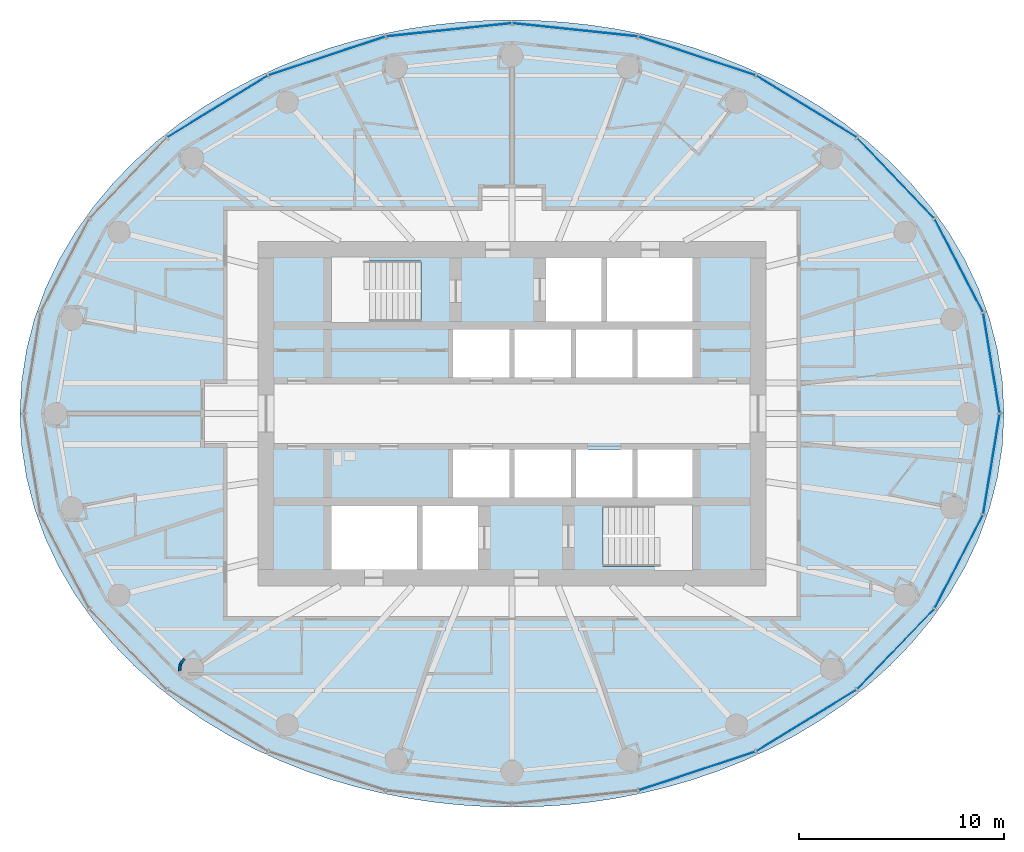
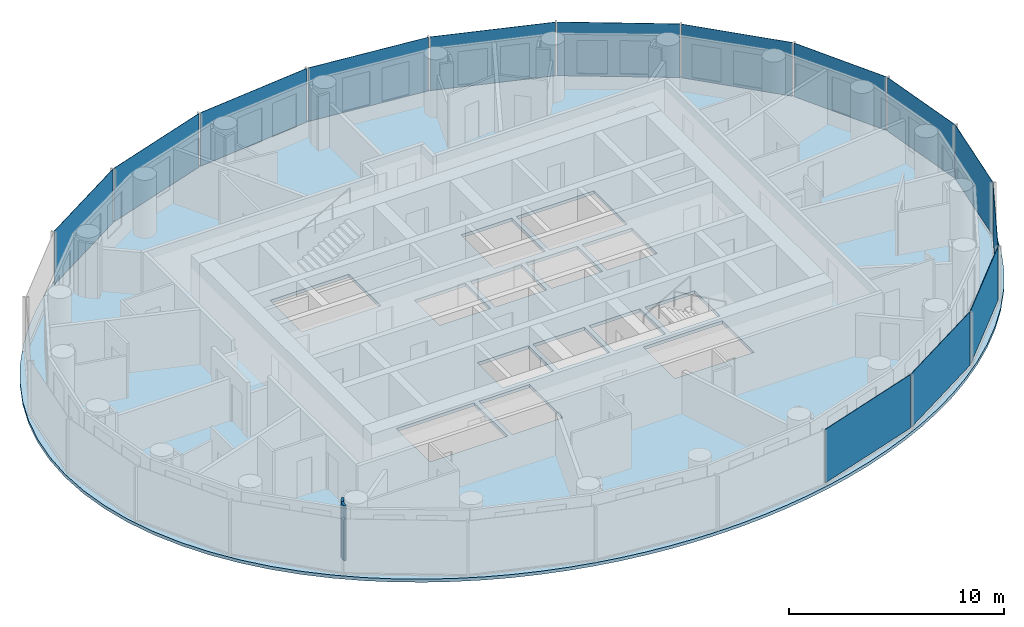
# One storey, part 5 of 16: 14 plates, 2 walls, 1 slab, 3 elements without a shape of their own.
"""IFC4 building model written with IfcOpenShell, lengths in metres."""

from ifc_helpers import new_model, si_unit, direction, frame, frame_2d, origin, origin_2d, place, context, subcontext, project, spatial, polyline, rectangle, outline, extrude, material, layer, layer_set, type_object, element, aggregate, save


model = new_model("IFC4")

# Units and contexts
model_context = context("Model", 3, precision=1e-05, world=origin(), true_north=direction((0.0, 1.0)))
body_context = subcontext(model_context, "Body", "Model", "MODEL_VIEW")
ifc_project = project(units=[si_unit("LENGTHUNIT", "METRE"), si_unit("AREAUNIT", "SQUARE_METRE"), si_unit("VOLUMEUNIT", "CUBIC_METRE"), si_unit("PLANEANGLEUNIT", "RADIAN"), si_unit("MASSUNIT", "GRAM", prefix="KILO")], contexts=[model_context])

# Site, building, storey
site_placement = place(None, origin())
site = spatial("IfcSite", under=ifc_project, at=site_placement, CompositionType="ELEMENT")
building_placement = place(site_placement, origin())
building = spatial("IfcBuilding", under=site, at=building_placement, Name="Hankou Lantern Tower", CompositionType="ELEMENT")
storey_placement = place(building_placement, frame((0.0, 0.0, 169.800048828125)))
storey = spatial("IfcBuildingStorey", under=building, at=storey_placement, Name="L45", CompositionType="ELEMENT", Elevation=169.800048828125)

# Curtain wall, plates
ifc_material_1 = material(Name="Glass, dark grey tinted laminated", Category="glass")
curtain_wall_type = type_object("IfcCurtainWallType", Name="CWC OUTER SKIN HIGH-RISE", PredefinedType="USERDEFINED", material=ifc_material_1)
curtain_wall_1_placement = place(storey_placement, origin())
curtain_wall_1 = element("IfcCurtainWall", 1, at=curtain_wall_1_placement, inside=storey, type_object=curtain_wall_type, Name="CWC L45 OS1", ObjectType="OUTER SKIN HIGH-RISE", PredefinedType="USERDEFINED")
ifc_material_2 = material(Name="Glass, dark grey tinted laminated", Category="glass")
ifc_layer_1 = layer(ifc_material_2, 0.02392578125)
ifc_layer_set_1 = layer_set([ifc_layer_1], Name="Glass, dark grey tinted laminated")
plate_type = type_object("IfcPlateType", Name="PN1 OUTER SKIN GLASS PANEL", PredefinedType="CURTAIN_PANEL", material=ifc_layer_set_1)
plate_1_placement = place(storey_placement, frame((23.39453125, 2.4638671875, 0.079833984375), z_axis=(0.0, 0.0, 1.0), x_axis=(-0.162381515188, 0.986728049427, 0.0)))
plate_1 = element("IfcPlate", 2, at=plate_1_placement, type_object=plate_type, Name="CWC glass panel 1", PredefinedType="CURTAIN_PANEL", context=body_context, shape_type="SweptSolid", body=[
    extrude(rectangle(XDim=4.914306640625, YDim=0.02392578125, at=origin_2d()), origin(), (0.0, 0.0, 1.0), 3.0400390625),
])
plate_2_placement = place(storey_placement, frame((21.80029296875, 7.223876953125, 0.079833984375), z_axis=(0.0, 0.0, 1.0), x_axis=(-0.459791091957, 0.888027112062, 0.0)))
plate_2 = element("IfcPlate", 3, at=plate_2_placement, type_object=plate_type, Name="CWC glass panel 2", PredefinedType="CURTAIN_PANEL", context=body_context, shape_type="SweptSolid", body=[
    extrude(rectangle(XDim=5.091064453125, YDim=0.02392578125, at=origin_2d()), origin(), (0.0, 0.0, 1.0), 3.0400390625),
])
plate_3_placement = place(storey_placement, frame((18.72021484375, 11.49169921875, 0.079833984375), z_axis=(0.0, 0.0, 1.0), x_axis=(-0.692215809936, 0.721690565599, 0.0)))
plate_3 = element("IfcPlate", 4, at=plate_3_placement, type_object=plate_type, Name="CWC glass panel 3", PredefinedType="CURTAIN_PANEL", context=body_context, shape_type="SweptSolid", body=[
    extrude(rectangle(XDim=5.384033203125, YDim=0.02392578125, at=origin_2d()), origin(), (0.0, 0.0, 1.0), 3.0400390625),
])
plate_4_placement = place(storey_placement, frame((14.364501953125, 14.976318359375, 0.079833984375), z_axis=(0.0, 0.0, 1.0), x_axis=(-0.852237151549, 0.523155653242, 0.0)))
plate_4 = element("IfcPlate", 5, at=plate_4_placement, type_object=plate_type, Name="CWC glass panel 4", PredefinedType="CURTAIN_PANEL", context=body_context, shape_type="SweptSolid", body=[
    extrude(rectangle(XDim=5.703857421875, YDim=0.02392578125, at=origin_2d()), origin(), (0.0, 0.0, 1.0), 3.0400390625),
])
plate_5_placement = place(storey_placement, frame((9.030029296875, 17.440185546875, 0.079833984375), z_axis=(0.0, 0.0, 1.0), x_axis=(-0.949240677293, 0.31455068999, 0.0)))
plate_5 = element("IfcPlate", 6, at=plate_5_placement, type_object=plate_type, Name="CWC glass panel 5", PredefinedType="CURTAIN_PANEL", context=body_context, shape_type="SweptSolid", body=[
    extrude(rectangle(XDim=5.967041015625, YDim=0.02392578125, at=origin_2d()), origin(), (0.0, 0.0, 1.0), 3.0400390625),
])
plate_6_placement = place(storey_placement, frame((3.079833984375, 18.715576171875, 0.079833984375), z_axis=(0.0, 0.0, 1.0), x_axis=(-0.994499359107, 0.104742659579, 0.0)))
plate_6 = element("IfcPlate", 7, at=plate_6_placement, type_object=plate_type, Name="CWC glass panel 6", PredefinedType="CURTAIN_PANEL", context=body_context, shape_type="SweptSolid", body=[
    extrude(rectangle(XDim=6.114013671875, YDim=0.02392578125, at=origin_2d()), origin(), (0.0, 0.0, 1.0), 3.0400390625),
])
aggregate(curtain_wall_1, [plate_1, plate_2, plate_3, plate_4, plate_5, plate_6])

curtain_wall_2_placement = place(storey_placement, origin())
curtain_wall_2 = element("IfcCurtainWall", 8, at=curtain_wall_2_placement, inside=storey, type_object=curtain_wall_type, Name="CWC L45 OS2", ObjectType="OUTER SKIN HIGH-RISE", PredefinedType="USERDEFINED")
plate_7_placement = place(storey_placement, frame((-3.079833984375, 18.715576171875, 0.079833984375), z_axis=(0.0, 0.0, 1.0), x_axis=(-0.994499359107, -0.104742659579, 0.0)))
plate_7 = element("IfcPlate", 9, at=plate_7_placement, type_object=plate_type, Name="CWC glass panel 1", PredefinedType="CURTAIN_PANEL", context=body_context, shape_type="SweptSolid", body=[
    extrude(rectangle(XDim=6.114013671875, YDim=0.02392578125, at=origin_2d()), origin(), (0.0, 0.0, 1.0), 3.0400390625),
])
plate_8_placement = place(storey_placement, frame((-9.030029296875, 17.440185546875, 0.079833984375), z_axis=(0.0, 0.0, 1.0), x_axis=(-0.949240677293, -0.31455068999, 0.0)))
plate_8 = element("IfcPlate", 10, at=plate_8_placement, type_object=plate_type, Name="CWC glass panel 2", PredefinedType="CURTAIN_PANEL", context=body_context, shape_type="SweptSolid", body=[
    extrude(rectangle(XDim=5.967041015625, YDim=0.02392578125, at=origin_2d()), origin(), (0.0, 0.0, 1.0), 3.0400390625),
])
plate_9_placement = place(storey_placement, frame((-14.364501953125, 14.976318359375, 0.079833984375), z_axis=(0.0, 0.0, 1.0), x_axis=(-0.852237151549, -0.523155653242, 0.0)))
plate_9 = element("IfcPlate", 11, at=plate_9_placement, type_object=plate_type, Name="CWC glass panel 3", PredefinedType="CURTAIN_PANEL", context=body_context, shape_type="SweptSolid", body=[
    extrude(rectangle(XDim=5.703857421875, YDim=0.02392578125, at=origin_2d()), origin(), (0.0, 0.0, 1.0), 3.0400390625),
])
aggregate(curtain_wall_2, [plate_7, plate_8, plate_9])

curtain_wall_3_placement = place(storey_placement, origin())
curtain_wall_3 = element("IfcCurtainWall", 12, at=curtain_wall_3_placement, inside=storey, type_object=curtain_wall_type, Name="CWC L45 OS4", ObjectType="OUTER SKIN HIGH-RISE", PredefinedType="USERDEFINED")
plate_10_placement = place(storey_placement, frame((9.030029296875, -17.440185546875, 0.079833984375), z_axis=(0.0, 0.0, 1.0), x_axis=(0.949240677293, 0.31455068999, 0.0)))
plate_10 = element("IfcPlate", 13, at=plate_10_placement, type_object=plate_type, Name="CWC glass panel 2", PredefinedType="CURTAIN_PANEL", context=body_context, shape_type="SweptSolid", body=[
    extrude(rectangle(XDim=5.967041015625, YDim=0.02392578125, at=origin_2d()), origin(), (0.0, 0.0, 1.0), 3.0400390625),
])
plate_11_placement = place(storey_placement, frame((14.364501953125, -14.976318359375, 0.079833984375), z_axis=(0.0, 0.0, 1.0), x_axis=(0.852237151549, 0.523155653242, 0.0)))
plate_11 = element("IfcPlate", 14, at=plate_11_placement, type_object=plate_type, Name="CWC glass panel 3", PredefinedType="CURTAIN_PANEL", context=body_context, shape_type="SweptSolid", body=[
    extrude(rectangle(XDim=5.703857421875, YDim=0.02392578125, at=origin_2d()), origin(), (0.0, 0.0, 1.0), 3.0400390625),
])
plate_12_placement = place(storey_placement, frame((18.72021484375, -11.49169921875, 0.079833984375), z_axis=(0.0, 0.0, 1.0), x_axis=(0.692215809936, 0.721690565599, 0.0)))
plate_12 = element("IfcPlate", 15, at=plate_12_placement, type_object=plate_type, Name="CWC glass panel 4", PredefinedType="CURTAIN_PANEL", context=body_context, shape_type="SweptSolid", body=[
    extrude(rectangle(XDim=5.384033203125, YDim=0.02392578125, at=origin_2d()), origin(), (0.0, 0.0, 1.0), 3.0400390625),
])
plate_13_placement = place(storey_placement, frame((21.80029296875, -7.223876953125, 0.079833984375), z_axis=(0.0, 0.0, 1.0), x_axis=(0.459791091957, 0.888027112062, 0.0)))
plate_13 = element("IfcPlate", 16, at=plate_13_placement, type_object=plate_type, Name="CWC glass panel 5", PredefinedType="CURTAIN_PANEL", context=body_context, shape_type="SweptSolid", body=[
    extrude(rectangle(XDim=5.091064453125, YDim=0.02392578125, at=origin_2d()), origin(), (0.0, 0.0, 1.0), 3.0400390625),
])
plate_14_placement = place(storey_placement, frame((23.39453125, -2.4638671875, 0.079833984375), z_axis=(0.0, 0.0, 1.0), x_axis=(0.162381515188, 0.986728049427, 0.0)))
plate_14 = element("IfcPlate", 17, at=plate_14_placement, type_object=plate_type, Name="CWC glass panel 6", PredefinedType="CURTAIN_PANEL", context=body_context, shape_type="SweptSolid", body=[
    extrude(rectangle(XDim=4.914306640625, YDim=0.02392578125, at=origin_2d()), origin(), (0.0, 0.0, 1.0), 3.0400390625),
])
aggregate(curtain_wall_3, [plate_10, plate_11, plate_12, plate_13, plate_14])

# Slab
ifc_material_3 = material(Name="Concrete C50", Category="concrete")
ifc_layer_2 = layer(ifc_material_3, 0.179931640625)
ifc_layer_set_2 = layer_set([ifc_layer_2], Name="Concrete C50")
slab_type = type_object("IfcSlabType", Name="S1 CONCRETE FLOOR SLAB 180", PredefinedType="FLOOR", material=ifc_layer_set_2)
slab_placement = place(storey_placement, frame((0.0, 0.0, -0.179931640625)))
element("IfcSlab", 18, at=slab_placement, inside=storey, type_object=slab_type, Name="Floor slab L45", PredefinedType="FLOOR", context=body_context, shape_type="SweptSolid", body=[
    extrude(outline(polyline([(24.0, 0.0), (23.919921875, 1.56787109375), (23.681396484375, 3.11767578125), (23.290771484375, 4.6328125), (22.75732421875, 6.097900390625), (22.09326171875, 7.499755859375), (21.312744140625, 8.827880859375), (20.43017578125, 10.0751953125), (19.461181640625, 11.23583984375), (18.420166015625, 12.307861328125), (17.320556640625, 13.29052734375), (16.174560546875, 14.184814453125), (14.99267578125, 14.99267578125), (13.783935546875, 15.717529296875), (12.5556640625, 16.363037109375), (11.31396484375, 16.9326171875), (10.0634765625, 17.4306640625), (8.8076171875, 17.8603515625), (7.54931640625, 18.225341796875), (6.289794921875, 18.52880859375), (5.0302734375, 18.7734375), (3.771728515625, 18.96142578125), (2.513916015625, 19.094482421875), (1.256591796875, 19.173583984375), (0.0, 19.199951171875), (-1.256591796875, 19.173583984375), (-2.513916015625, 19.094482421875), (-3.771728515625, 18.96142578125), (-5.0302734375, 18.7734375), (-6.289794921875, 18.52880859375), (-7.54931640625, 18.225341796875), (-8.8076171875, 17.8603515625), (-10.0634765625, 17.4306640625), (-11.31396484375, 16.9326171875), (-12.5556640625, 16.363037109375), (-13.783935546875, 15.717529296875), (-14.99267578125, 14.99267578125), (-16.174560546875, 14.184814453125), (-17.320556640625, 13.29052734375), (-18.420166015625, 12.307861328125), (-19.461181640625, 11.23583984375), (-20.43017578125, 10.0751953125), (-21.312744140625, 8.827880859375), (-22.09326171875, 7.499755859375), (-22.75732421875, 6.097900390625), (-23.290771484375, 4.6328125), (-23.681396484375, 3.11767578125), (-23.919921875, 1.56787109375), (-24.0, 0.0), (-23.919921875, -1.56787109375), (-23.681396484375, -3.11767578125), (-23.290771484375, -4.6328125), (-22.75732421875, -6.097900390625), (-22.09326171875, -7.499755859375), (-21.312744140625, -8.827880859375), (-20.43017578125, -10.0751953125), (-19.461181640625, -11.23583984375), (-18.420166015625, -12.307861328125), (-17.320556640625, -13.29052734375), (-16.174560546875, -14.184814453125), (-14.99267578125, -14.99267578125), (-13.783935546875, -15.717529296875), (-12.5556640625, -16.363037109375), (-11.31396484375, -16.9326171875), (-10.0634765625, -17.4306640625), (-8.8076171875, -17.8603515625), (-7.54931640625, -18.225341796875), (-6.289794921875, -18.52880859375), (-5.0302734375, -18.7734375), (-3.771728515625, -18.96142578125), (-2.513916015625, -19.094482421875), (-1.256591796875, -19.173583984375), (0.0, -19.199951171875), (1.256591796875, -19.173583984375), (2.513916015625, -19.094482421875), (3.771728515625, -18.96142578125), (5.0302734375, -18.7734375), (6.289794921875, -18.52880859375), (7.54931640625, -18.225341796875), (8.8076171875, -17.8603515625), (10.0634765625, -17.4306640625), (11.31396484375, -16.9326171875), (12.5556640625, -16.363037109375), (13.783935546875, -15.717529296875), (14.99267578125, -14.99267578125), (16.174560546875, -14.184814453125), (17.320556640625, -13.29052734375), (18.420166015625, -12.307861328125), (19.461181640625, -11.23583984375), (20.43017578125, -10.0751953125), (21.312744140625, -8.827880859375), (22.09326171875, -7.499755859375), (22.75732421875, -6.097900390625), (23.290771484375, -4.6328125), (23.681396484375, -3.11767578125), (23.919921875, -1.56787109375), (24.0, 0.0)]), holes=[polyline([(-2.875, 4.10009765625), (-0.125, 4.10009765625), (-0.125, 1.75), (-2.875, 1.75), (-2.875, 4.10009765625)]), polyline([(0.125, 4.10009765625), (2.875, 4.10009765625), (2.875, 1.75), (0.125, 1.75), (0.125, 4.10009765625)]), polyline([(3.125, 4.10009765625), (5.875, 4.10009765625), (5.875, 1.75), (3.125, 1.75), (3.125, 4.10009765625)]), polyline([(6.125, 4.10009765625), (8.800048828125, 4.10009765625), (8.800048828125, 1.75), (6.125, 1.75), (6.125, 4.10009765625)]), polyline([(-2.875, -1.75), (-0.125, -1.75), (-0.125, -4.10009765625), (-2.875, -4.10009765625), (-2.875, -1.75)]), polyline([(0.125, -1.75), (2.875, -1.75), (2.875, -4.10009765625), (0.125, -4.10009765625), (0.125, -1.75)]), polyline([(3.125, -1.75), (5.875, -1.75), (5.875, -4.10009765625), (3.125, -4.10009765625), (3.125, -1.75)]), polyline([(6.125, -1.75), (8.800048828125, -1.75), (8.800048828125, -4.10009765625), (6.125, -4.10009765625), (6.125, -1.75)]), polyline([(1.64990234375, 7.60009765625), (4.375, 7.60009765625), (4.375, 4.5), (1.64990234375, 4.5), (1.64990234375, 7.60009765625)]), polyline([(-4.375, -4.5), (-1.64990234375, -4.5), (-1.64990234375, -7.60009765625), (-4.375, -7.60009765625), (-4.375, -4.5)]), polyline([(-8.699951171875, 7.449951171875), (-4.449951171875, 7.449951171875), (-4.449951171875, 4.5), (-8.699951171875, 4.5), (-8.699951171875, 7.449951171875)]), polyline([(4.449951171875, -4.5), (8.699951171875, -4.5), (8.699951171875, -7.449951171875), (4.449951171875, -7.449951171875), (4.449951171875, -4.5)]), polyline([(4.625, 7.60009765625), (8.800048828125, 7.60009765625), (8.800048828125, 4.5), (4.625, 4.5), (4.625, 7.60009765625)]), polyline([(-8.800048828125, -4.5), (-4.625, -4.5), (-4.625, -7.60009765625), (-8.800048828125, -7.60009765625), (-8.800048828125, -4.5)])]), origin(), (0.0, 0.0, 1.0), 0.179931640625),
])

# Walls
ifc_material_4 = material(Name="Masonry lightweight concrete block", Category="masonry")
ifc_layer_3 = layer(ifc_material_4, 0.1201171875)
ifc_layer_set_3 = layer_set([ifc_layer_3], Name="Masonry lightweight concrete block")
wall_type = type_object("IfcWallType", Name="IW4 PARTITION 120", PredefinedType="PARTITIONING", material=ifc_layer_set_3)
wall_1_placement = place(storey_placement, frame((-15.983642578125, -11.95166015625, 0.0), z_axis=(0.0, 0.0, 1.0), x_axis=(-0.592335221171, -0.805691619517, 0.0)))
element("IfcWall", 19, at=wall_1_placement, inside=storey, type_object=wall_type, Name="Column casing R16", PredefinedType="PARTITIONING", context=body_context, shape_type="SweptSolid", body=[
    extrude(rectangle(XDim=0.337646484375, YDim=0.1201171875, at=frame_2d((0.1689453125, 0.0))), origin(), (0.0, 0.0, 1.0), 3.119873046875),
])
wall_2_placement = place(storey_placement, frame((-16.18359375, -12.2236328125, 0.0), z_axis=(0.0, 0.0, 1.0), x_axis=(-0.110669692975, -0.993857242795, 0.0)))
element("IfcWall", 20, at=wall_2_placement, inside=storey, type_object=wall_type, Name="Column casing R16", PredefinedType="PARTITIONING", context=body_context, shape_type="SweptSolid", body=[
    extrude(rectangle(XDim=0.33740234375, YDim=0.1201171875, at=frame_2d((0.168701171875, 0.0))), origin(), (0.0, 0.0, 1.0), 3.119873046875),
])

save(model, "model.ifc")
